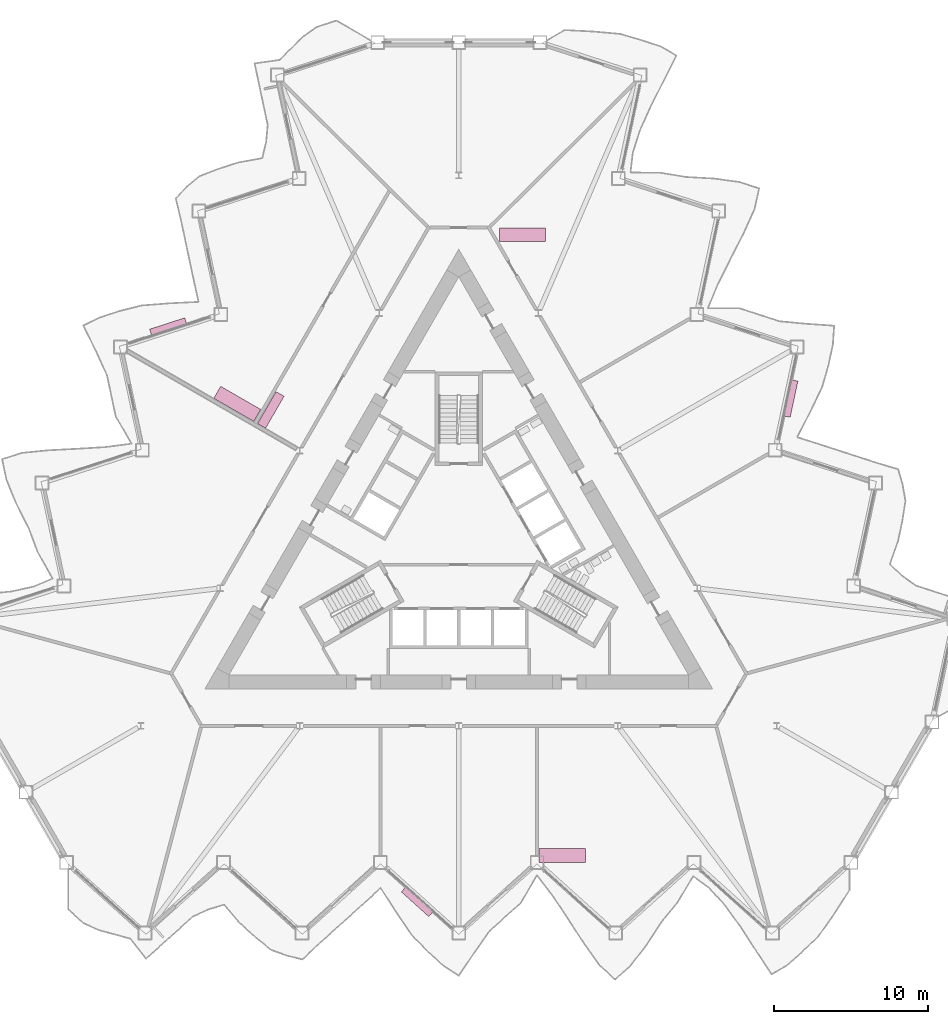
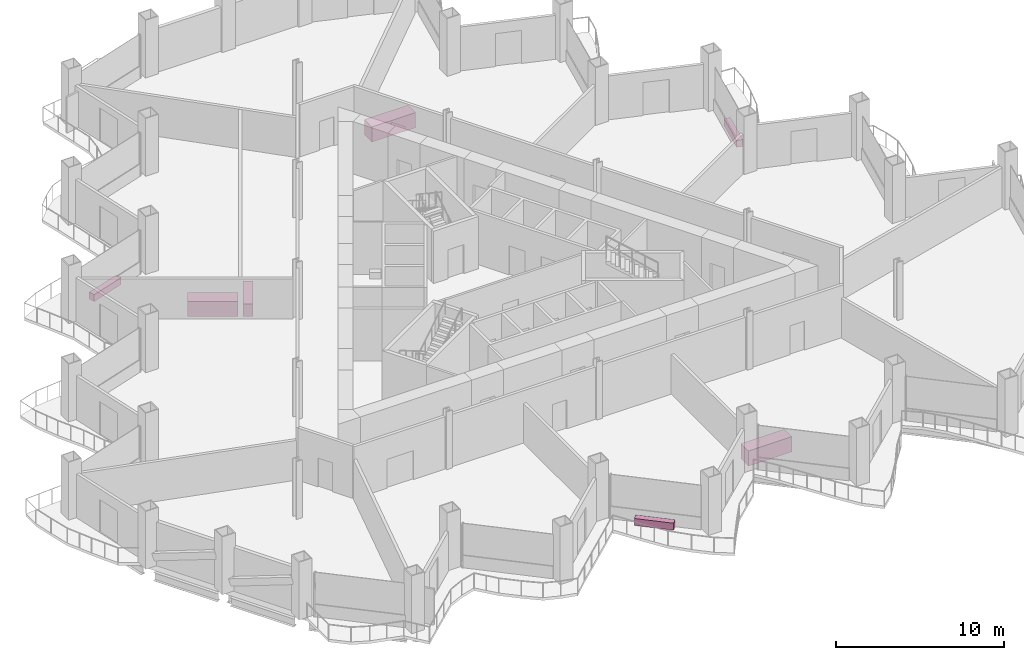
# One storey, part 21 of 21: 7 furniture elements.
"""IFC4 building model written with IfcOpenShell, lengths in metres."""

from ifc_helpers import new_model, si_unit, direction, frame, origin, origin_2d, place, context, subcontext, project, spatial, rectangle, extrude, material, type_object, element, save


model = new_model("IFC4")

# Units and contexts
model_context = context("Model", 3, precision=1e-05, world=origin(), true_north=direction((0.0, 1.0)))
body_context = subcontext(model_context, "Body", "Model", "MODEL_VIEW")
ifc_project = project(units=[si_unit("LENGTHUNIT", "METRE"), si_unit("AREAUNIT", "SQUARE_METRE"), si_unit("VOLUMEUNIT", "CUBIC_METRE"), si_unit("PLANEANGLEUNIT", "RADIAN"), si_unit("MASSUNIT", "GRAM", prefix="KILO")], contexts=[model_context])

# Site, building, storey
site_placement = place(None, origin())
site = spatial("IfcSite", under=ifc_project, at=site_placement, CompositionType="ELEMENT")
building_placement = place(site_placement, origin())
building = spatial("IfcBuilding", under=site, at=building_placement, Name="Cormorant Prow Tower", CompositionType="ELEMENT")
storey_placement = place(building_placement, frame((0.0, 0.0, 150.0)))
storey = spatial("IfcBuildingStorey", under=building, at=storey_placement, Name="L32", CompositionType="ELEMENT", Elevation=150.0)

# Furniture
ifc_material_1 = material(Name="Terracotta", Category="masonry")
furniture_type_1 = type_object("IfcFurnitureType", Name="Balcony planter 2400x400x500", AssemblyPlace="NOTDEFINED", PredefinedType="USERDEFINED", material=ifc_material_1)
for number, where, z_axis, x_axis, name in (
    (1, (-2.7080078125, -23.375244140625, 0.0), (0.0, 0.0, 1.0), (0.743144877867, -0.669130548174, 0.0), "Balcony planter S04"),
    (2, (21.597412109375, 9.34228515625, 0.0), (0.0, 0.0, 1.0), (0.207911666046, 0.978147605999, 0.0), "Balcony planter ENE04"),
    (3, (-18.889404296875, 14.03271484375, 0.0), (0.0, 0.0, 1.0), (-0.951056511101, -0.30901701036, 0.0), "Balcony planter WNW04"),
):
    element("IfcFurniture", number, at=place(storey_placement, frame(where, z_axis=z_axis, x_axis=x_axis)), inside=storey, type_object=furniture_type_1, Name=name, ObjectType="PLANTER", PredefinedType="USERDEFINED", context=body_context, shape_type="SweptSolid", body=[
        extrude(rectangle(XDim=2.39990234375, YDim=0.39990234375, at=origin_2d()), origin(), (0.0, 0.0, 1.0), 0.5),
    ])
ifc_material_2 = material(Name="Timber joinery", Category="wood")
furniture_type_2 = type_object("IfcFurnitureType", Name="Kitchen counter 2400x600", AssemblyPlace="NOTDEFINED", PredefinedType="NOTDEFINED", material=ifc_material_2)
furniture_placement = place(storey_placement, frame((-12.215087890625, 8.60546875, 0.0), z_axis=(0.0, 0.0, 1.0), x_axis=(0.5, 0.866025403784, 0.0)))
element("IfcFurniture", 4, at=furniture_placement, inside=storey, type_object=furniture_type_2, Name="Kitchen counter", PredefinedType="NOTDEFINED", context=body_context, shape_type="SweptSolid", body=[
    extrude(rectangle(XDim=2.39990234375, YDim=0.60009765625, at=origin_2d()), origin(), (0.0, 0.0, 1.0), 0.89990234375),
])
ifc_material_3 = material(Name="Timber joinery", Category="wood")
furniture_type_3 = type_object("IfcFurnitureType", Name="Reception desk 3000x900", AssemblyPlace="NOTDEFINED", PredefinedType="DESK", material=ifc_material_3)
for number, where, z_axis, x_axis, name in (
    (5, (6.726318359375, -20.34912109375, 0.0), (0.0, 0.0, 1.0), (1.0, 0.0, 0.0), "Reception desk"),
    (6, (4.1318359375, 19.99365234375, 0.0), (0.0, 0.0, 1.0), (1.0, 0.0, 0.0), "Reception desk"),
    (7, (-14.400146484375, 9.0009765625, 0.0), (0.0, 0.0, 1.0), (-0.866025403784, 0.5, 0.0), "Reception desk"),
):
    element("IfcFurniture", number, at=place(storey_placement, frame(where, z_axis=z_axis, x_axis=x_axis)), inside=storey, type_object=furniture_type_3, Name=name, PredefinedType="DESK", context=body_context, shape_type="SweptSolid", body=[
        extrude(rectangle(XDim=3.0, YDim=0.89990234375, at=origin_2d()), origin(), (0.0, 0.0, 1.0), 1.10009765625),
    ])

save(model, "model.ifc")
